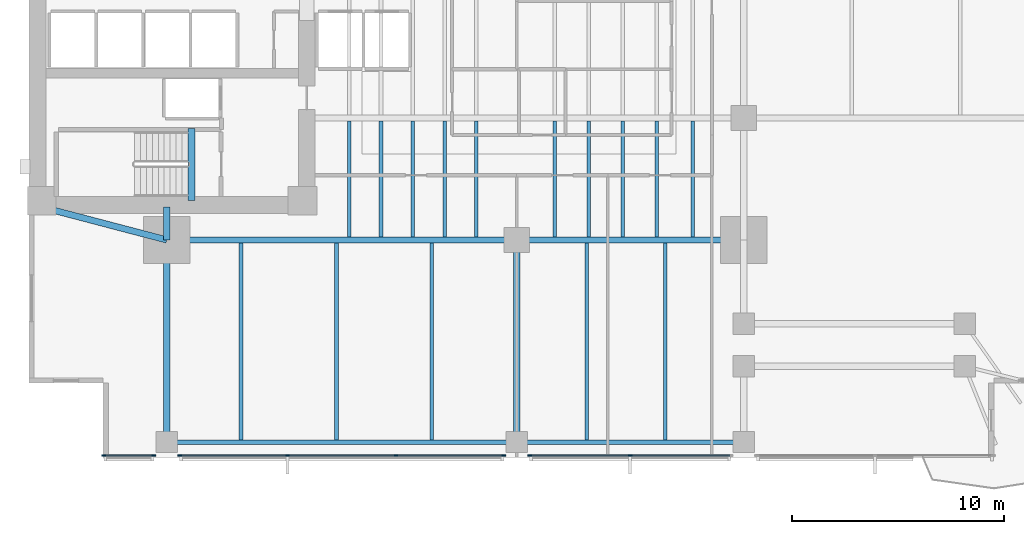
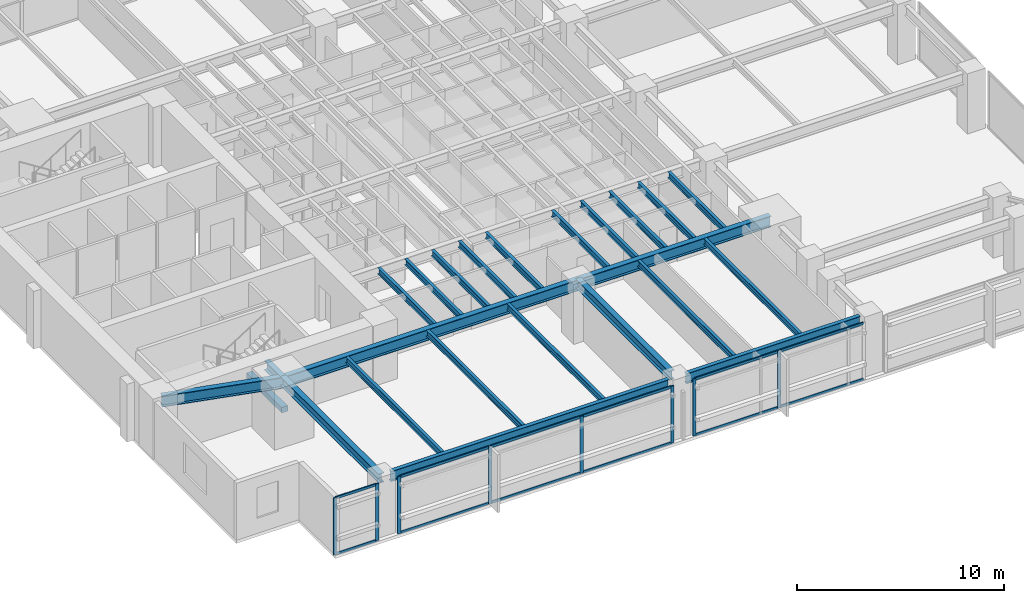
# One storey, part 2 of 15: 24 beams, 20 members, 3 elements without a shape of their own.
"""IFC4 building model written with IfcOpenShell, lengths in metres."""

from ifc_helpers import new_model, si_unit, direction, frame, origin, origin_2d, place, context, subcontext, project, spatial, rectangle, i_section, extrude, material, layer, layer_set, material_profile, profile_set, type_object, element, aggregate, save


model = new_model("IFC4")

# Units and contexts
model_context = context("Model", 3, precision=1e-05, world=origin(), true_north=direction((0.0, 1.0)))
body_context = subcontext(model_context, "Body", "Model", "MODEL_VIEW")
ifc_project = project(units=[si_unit("LENGTHUNIT", "METRE"), si_unit("AREAUNIT", "SQUARE_METRE"), si_unit("VOLUMEUNIT", "CUBIC_METRE"), si_unit("PLANEANGLEUNIT", "RADIAN"), si_unit("MASSUNIT", "GRAM", prefix="KILO")], contexts=[model_context])

# Site, building, storey
site_placement = place(None, origin())
site = spatial("IfcSite", under=ifc_project, at=site_placement, CompositionType="ELEMENT")
building_placement = place(site_placement, origin())
building = spatial("IfcBuilding", under=site, at=building_placement, Name="Kinhvarn Gate Tower", CompositionType="ELEMENT")
storey_placement = place(building_placement, frame((0.0, 0.0, 75.300048828125)))
storey = spatial("IfcBuildingStorey", under=building, at=storey_placement, Name="L19", CompositionType="ELEMENT", Elevation=75.300048828125)

# Beam
ifc_material_1 = material(Name="Concrete C50/60", Category="concrete")
ifc_material_profile_1 = material_profile(ifc_material_1, rectangle(XDim=0.340087890625, YDim=0.320068359375, at=origin_2d()), Name="RC 340x320")
ifc_profile_set_1 = profile_set([ifc_material_profile_1], Name="Concrete C50/60")
beam_type_1 = type_object("IfcBeamType", Name="BM-LND-500", PredefinedType="BEAM", material=ifc_profile_set_1)
beam_1_placement = place(storey_placement, frame((12.1650390625, 14.60009765625, -0.16015625), z_axis=(0.0, 1.0, 0.0), x_axis=(-1.0, 0.0, 0.0)))
element("IfcBeam", 1, at=beam_1_placement, inside=storey, type_object=beam_type_1, Name="Stair ST1 Landing Nosing Beam (L19)", PredefinedType="BEAM", context=body_context, shape_type="SweptSolid", body=[
    extrude(rectangle(XDim=0.340087890625, YDim=0.320068359375, at=origin_2d()), origin(), (0.0, 0.0, 1.0), 3.39990234375),
])

# Curtain wall, members
ifc_material_2 = material(Name="Anodised aluminium AW-6063", Category="aluminium")
ifc_layer = layer(ifc_material_2, 0.179931640625)
ifc_layer_set = layer_set([ifc_layer], Name="Anodised aluminium AW-6063")
curtain_wall_type = type_object("IfcCurtainWallType", Name="CW-SYS-2", PredefinedType="NOTDEFINED", material=ifc_layer_set)
curtain_wall_1_placement = place(storey_placement, origin())
curtain_wall_1 = element("IfcCurtainWall", 2, at=curtain_wall_1_placement, inside=storey, type_object=curtain_wall_type, Name="Curtain Wall CW2 (L19)", PredefinedType="NOTDEFINED")
ifc_material_profile_2 = material_profile(ifc_material_2, rectangle(XDim=0.070068359375, YDim=0.179931640625, at=origin_2d()), Name="ALU 70x180")
ifc_profile_set_2 = profile_set([ifc_material_profile_2], Name="Anodised aluminium AW-6063")
member_type_1 = type_object("IfcMemberType", Name="CW-MUL-180", PredefinedType="MULLION", material=ifc_profile_set_2)
member_1_placement = place(storey_placement, frame((8.034912109375, 2.590087890625, 0.0), z_axis=(0.0, 0.0, 1.0), x_axis=(0.0, 1.0, 0.0)))
member_1 = element("IfcMember", 3, at=member_1_placement, type_object=member_type_1, Name="CW2 mullion 1", PredefinedType="MULLION", context=body_context, shape_type="SweptSolid", body=[
    extrude(rectangle(XDim=0.070068359375, YDim=0.179931640625, at=origin_2d()), origin(), (0.0, 0.0, 1.0), 3.369873046875),
])
member_2_placement = place(storey_placement, frame((10.385009765625, 2.590087890625, 0.0), z_axis=(0.0, 0.0, 1.0), x_axis=(0.0, 1.0, 0.0)))
member_2 = element("IfcMember", 4, at=member_2_placement, type_object=member_type_1, Name="CW2 mullion 2", PredefinedType="MULLION", context=body_context, shape_type="SweptSolid", body=[
    extrude(rectangle(XDim=0.070068359375, YDim=0.179931640625, at=origin_2d()), origin(), (0.0, 0.0, 1.0), 3.369873046875),
])

curtain_wall_2_placement = place(storey_placement, origin())
curtain_wall_2 = element("IfcCurtainWall", 5, at=curtain_wall_2_placement, inside=storey, type_object=curtain_wall_type, Name="Curtain Wall CW2 (L19)", PredefinedType="NOTDEFINED")
member_3_placement = place(storey_placement, frame((11.614990234375, 2.590087890625, 0.0), z_axis=(0.0, 0.0, 1.0), x_axis=(0.0, 1.0, 0.0)))
member_3 = element("IfcMember", 6, at=member_3_placement, type_object=member_type_1, Name="CW2 mullion 1", PredefinedType="MULLION", context=body_context, shape_type="SweptSolid", body=[
    extrude(rectangle(XDim=0.070068359375, YDim=0.179931640625, at=origin_2d()), origin(), (0.0, 0.0, 1.0), 3.369873046875),
])
member_4_placement = place(storey_placement, frame((16.693359375, 2.590087890625, 0.0), z_axis=(0.0, 0.0, 1.0), x_axis=(0.0, 1.0, 0.0)))
member_4 = element("IfcMember", 7, at=member_4_placement, type_object=member_type_1, Name="CW2 mullion 2", PredefinedType="MULLION", context=body_context, shape_type="SweptSolid", body=[
    extrude(rectangle(XDim=0.070068359375, YDim=0.179931640625, at=origin_2d()), origin(), (0.0, 0.0, 1.0), 3.369873046875),
])
member_5_placement = place(storey_placement, frame((21.806640625, 2.590087890625, 0.0), z_axis=(0.0, 0.0, 1.0), x_axis=(0.0, 1.0, 0.0)))
member_5 = element("IfcMember", 8, at=member_5_placement, type_object=member_type_1, Name="CW2 mullion 3", PredefinedType="MULLION", context=body_context, shape_type="SweptSolid", body=[
    extrude(rectangle(XDim=0.070068359375, YDim=0.179931640625, at=origin_2d()), origin(), (0.0, 0.0, 1.0), 3.369873046875),
])
member_6_placement = place(storey_placement, frame((26.885009765625, 2.590087890625, 0.0), z_axis=(0.0, 0.0, 1.0), x_axis=(0.0, 1.0, 0.0)))
member_6 = element("IfcMember", 9, at=member_6_placement, type_object=member_type_1, Name="CW2 mullion 4", PredefinedType="MULLION", context=body_context, shape_type="SweptSolid", body=[
    extrude(rectangle(XDim=0.070068359375, YDim=0.179931640625, at=origin_2d()), origin(), (0.0, 0.0, 1.0), 3.369873046875),
])

curtain_wall_3_placement = place(storey_placement, origin())
curtain_wall_3 = element("IfcCurtainWall", 10, at=curtain_wall_3_placement, inside=storey, type_object=curtain_wall_type, Name="Curtain Wall CW2 (L19)", PredefinedType="NOTDEFINED")
member_7_placement = place(storey_placement, frame((28.114990234375, 2.590087890625, 0.0), z_axis=(0.0, 0.0, 1.0), x_axis=(0.0, 1.0, 0.0)))
member_7 = element("IfcMember", 11, at=member_7_placement, type_object=member_type_1, Name="CW2 mullion 1", PredefinedType="MULLION", context=body_context, shape_type="SweptSolid", body=[
    extrude(rectangle(XDim=0.070068359375, YDim=0.179931640625, at=origin_2d()), origin(), (0.0, 0.0, 1.0), 3.369873046875),
])
member_8_placement = place(storey_placement, frame((32.85009765625, 2.590087890625, 0.0), z_axis=(0.0, 0.0, 1.0), x_axis=(0.0, 1.0, 0.0)))
member_8 = element("IfcMember", 12, at=member_8_placement, type_object=member_type_1, Name="CW2 mullion 2", PredefinedType="MULLION", context=body_context, shape_type="SweptSolid", body=[
    extrude(rectangle(XDim=0.070068359375, YDim=0.179931640625, at=origin_2d()), origin(), (0.0, 0.0, 1.0), 3.369873046875),
])

# Member
ifc_material_profile_3 = material_profile(ifc_material_2, rectangle(XDim=0.070068359375, YDim=0.139892578125, at=origin_2d()), Name="ALU 70x140")
ifc_profile_set_3 = profile_set([ifc_material_profile_3], Name="Anodised aluminium AW-6063")
member_type_2 = type_object("IfcMemberType", Name="CW-TRN-140", PredefinedType="USERDEFINED", material=ifc_profile_set_3)
member_9_placement = place(storey_placement, frame((8.070068359375, 2.590087890625, 0.034912109375), z_axis=(1.0, 0.0, 0.0), x_axis=(0.0, 1.0, 0.0)))
member_9 = element("IfcMember", 13, at=member_9_placement, type_object=member_type_2, Name="CW2 transom 1.1", ObjectType="TRANSOM", PredefinedType="USERDEFINED", context=body_context, shape_type="SweptSolid", body=[
    extrude(rectangle(XDim=0.070068359375, YDim=0.139892578125, at=origin_2d()), origin(), (0.0, 0.0, 1.0), 2.280029296875),
])

member_10_placement = place(storey_placement, frame((8.070068359375, 2.590087890625, 3.3349609375), z_axis=(1.0, 0.0, 0.0), x_axis=(0.0, 1.0, 0.0)))
member_10 = element("IfcMember", 14, at=member_10_placement, type_object=member_type_2, Name="CW2 transom 1.2", ObjectType="TRANSOM", PredefinedType="USERDEFINED", context=body_context, shape_type="SweptSolid", body=[
    extrude(rectangle(XDim=0.070068359375, YDim=0.139892578125, at=origin_2d()), origin(), (0.0, 0.0, 1.0), 2.280029296875),
])

aggregate(curtain_wall_1, [member_1, member_2, member_9, member_10])

member_11_placement = place(storey_placement, frame((11.64990234375, 2.590087890625, 0.034912109375), z_axis=(1.0, 0.0, 0.0), x_axis=(0.0, 1.0, 0.0)))
member_11 = element("IfcMember", 15, at=member_11_placement, type_object=member_type_2, Name="CW2 transom 1.1", ObjectType="TRANSOM", PredefinedType="USERDEFINED", context=body_context, shape_type="SweptSolid", body=[
    extrude(rectangle(XDim=0.070068359375, YDim=0.139892578125, at=origin_2d()), origin(), (0.0, 0.0, 1.0), 5.008544921875),
])

member_12_placement = place(storey_placement, frame((11.64990234375, 2.590087890625, 3.3349609375), z_axis=(1.0, 0.0, 0.0), x_axis=(0.0, 1.0, 0.0)))
member_12 = element("IfcMember", 16, at=member_12_placement, type_object=member_type_2, Name="CW2 transom 1.2", ObjectType="TRANSOM", PredefinedType="USERDEFINED", context=body_context, shape_type="SweptSolid", body=[
    extrude(rectangle(XDim=0.070068359375, YDim=0.139892578125, at=origin_2d()), origin(), (0.0, 0.0, 1.0), 5.008544921875),
])

member_13_placement = place(storey_placement, frame((16.728271484375, 2.590087890625, 0.034912109375), z_axis=(1.0, 0.0, 0.0), x_axis=(0.0, 1.0, 0.0)))
member_13 = element("IfcMember", 17, at=member_13_placement, type_object=member_type_2, Name="CW2 transom 2.1", ObjectType="TRANSOM", PredefinedType="USERDEFINED", context=body_context, shape_type="SweptSolid", body=[
    extrude(rectangle(XDim=0.070068359375, YDim=0.139892578125, at=origin_2d()), origin(), (0.0, 0.0, 1.0), 5.04345703125),
])

member_14_placement = place(storey_placement, frame((16.728271484375, 2.590087890625, 3.3349609375), z_axis=(1.0, 0.0, 0.0), x_axis=(0.0, 1.0, 0.0)))
member_14 = element("IfcMember", 18, at=member_14_placement, type_object=member_type_2, Name="CW2 transom 2.2", ObjectType="TRANSOM", PredefinedType="USERDEFINED", context=body_context, shape_type="SweptSolid", body=[
    extrude(rectangle(XDim=0.070068359375, YDim=0.139892578125, at=origin_2d()), origin(), (0.0, 0.0, 1.0), 5.04345703125),
])

member_15_placement = place(storey_placement, frame((21.841552734375, 2.590087890625, 0.034912109375), z_axis=(1.0, 0.0, 0.0), x_axis=(0.0, 1.0, 0.0)))
member_15 = element("IfcMember", 19, at=member_15_placement, type_object=member_type_2, Name="CW2 transom 3.1", ObjectType="TRANSOM", PredefinedType="USERDEFINED", context=body_context, shape_type="SweptSolid", body=[
    extrude(rectangle(XDim=0.070068359375, YDim=0.139892578125, at=origin_2d()), origin(), (0.0, 0.0, 1.0), 5.008544921875),
])

member_16_placement = place(storey_placement, frame((21.841552734375, 2.590087890625, 3.3349609375), z_axis=(1.0, 0.0, 0.0), x_axis=(0.0, 1.0, 0.0)))
member_16 = element("IfcMember", 20, at=member_16_placement, type_object=member_type_2, Name="CW2 transom 3.2", ObjectType="TRANSOM", PredefinedType="USERDEFINED", context=body_context, shape_type="SweptSolid", body=[
    extrude(rectangle(XDim=0.070068359375, YDim=0.139892578125, at=origin_2d()), origin(), (0.0, 0.0, 1.0), 5.008544921875),
])

aggregate(curtain_wall_2, [member_3, member_4, member_5, member_6, member_11, member_12, member_13, member_14, member_15, member_16])

member_17_placement = place(storey_placement, frame((28.14990234375, 2.590087890625, 0.034912109375), z_axis=(1.0, 0.0, 0.0), x_axis=(0.0, 1.0, 0.0)))
member_17 = element("IfcMember", 21, at=member_17_placement, type_object=member_type_2, Name="CW2 transom 1.1", ObjectType="TRANSOM", PredefinedType="USERDEFINED", context=body_context, shape_type="SweptSolid", body=[
    extrude(rectangle(XDim=0.070068359375, YDim=0.139892578125, at=origin_2d()), origin(), (0.0, 0.0, 1.0), 4.6650390625),
])

member_18_placement = place(storey_placement, frame((28.14990234375, 2.590087890625, 3.3349609375), z_axis=(1.0, 0.0, 0.0), x_axis=(0.0, 1.0, 0.0)))
member_18 = element("IfcMember", 22, at=member_18_placement, type_object=member_type_2, Name="CW2 transom 1.2", ObjectType="TRANSOM", PredefinedType="USERDEFINED", context=body_context, shape_type="SweptSolid", body=[
    extrude(rectangle(XDim=0.070068359375, YDim=0.139892578125, at=origin_2d()), origin(), (0.0, 0.0, 1.0), 4.6650390625),
])

member_19_placement = place(storey_placement, frame((32.885009765625, 2.590087890625, 0.034912109375), z_axis=(1.0, 0.0, 0.0), x_axis=(0.0, 1.0, 0.0)))
member_19 = element("IfcMember", 23, at=member_19_placement, type_object=member_type_2, Name="CW2 transom 2.1", ObjectType="TRANSOM", PredefinedType="USERDEFINED", context=body_context, shape_type="SweptSolid", body=[
    extrude(rectangle(XDim=0.070068359375, YDim=0.139892578125, at=origin_2d()), origin(), (0.0, 0.0, 1.0), 4.6650390625),
])

member_20_placement = place(storey_placement, frame((32.885009765625, 2.590087890625, 3.3349609375), z_axis=(1.0, 0.0, 0.0), x_axis=(0.0, 1.0, 0.0)))
member_20 = element("IfcMember", 24, at=member_20_placement, type_object=member_type_2, Name="CW2 transom 2.2", ObjectType="TRANSOM", PredefinedType="USERDEFINED", context=body_context, shape_type="SweptSolid", body=[
    extrude(rectangle(XDim=0.070068359375, YDim=0.139892578125, at=origin_2d()), origin(), (0.0, 0.0, 1.0), 4.6650390625),
])

aggregate(curtain_wall_3, [member_7, member_8, member_17, member_18, member_19, member_20])

# Beams
ifc_material_3 = material(Name="Steel S355", Category="steel")
ifc_material_profile_4 = material_profile(ifc_material_3, i_section(OverallWidth=0.300048828125, OverallDepth=0.550048828125, WebThickness=0.014892578125, FlangeThickness=0.029052734375, at=origin_2d()), Name="HEB 550")
ifc_profile_set_4 = profile_set([ifc_material_profile_4], Name="Steel S355")
beam_type_2 = type_object("IfcBeamType", Name="STL-HEB550", PredefinedType="BEAM", material=ifc_profile_set_4)
beam_2_placement = place(storey_placement, frame((11.0, 3.219970703125, 3.094970703125), z_axis=(0.0, 1.0, 0.0), x_axis=(-1.0, 0.0, 0.0)))
element("IfcBeam", 25, at=beam_2_placement, inside=storey, type_object=beam_type_2, Name="Floor Beam PG-15 (L19 MCW-S)", PredefinedType="BEAM", context=body_context, shape_type="SweptSolid", body=[
    extrude(i_section(OverallWidth=0.300048828125, OverallDepth=0.550048828125, WebThickness=0.014892578125, FlangeThickness=0.029052734375, at=origin_2d()), origin(), (0.0, 0.0, 1.0), 9.530029296875),
])
beam_3_placement = place(storey_placement, frame((11.0, 12.75, 3.094970703125), z_axis=(0.0, 1.0, 0.0), x_axis=(-1.0, 0.0, 0.0)))
element("IfcBeam", 26, at=beam_3_placement, inside=storey, type_object=beam_type_2, Name="Floor Beam PG-15 (L19 MCW-CS)", PredefinedType="BEAM", context=body_context, shape_type="SweptSolid", body=[
    extrude(i_section(OverallWidth=0.300048828125, OverallDepth=0.550048828125, WebThickness=0.014892578125, FlangeThickness=0.029052734375, at=origin_2d()), origin(), (0.0, 0.0, 1.0), 1.550048828125),
])
beam_4_placement = place(storey_placement, frame((27.5, 3.705078125, 3.094970703125), z_axis=(0.0, 1.0, 0.0), x_axis=(-1.0, 0.0, 0.0)))
element("IfcBeam", 27, at=beam_4_placement, inside=storey, type_object=beam_type_2, Name="Floor Beam PG-15 (L19 SP27-S-TIE)", PredefinedType="BEAM", context=body_context, shape_type="SweptSolid", body=[
    extrude(i_section(OverallWidth=0.300048828125, OverallDepth=0.550048828125, WebThickness=0.014892578125, FlangeThickness=0.029052734375, at=origin_2d()), origin(), (0.0, 0.0, 1.0), 9.044921875),
])
ifc_material_profile_5 = material_profile(ifc_material_3, i_section(OverallWidth=0.300048828125, OverallDepth=0.64990234375, WebThickness=0.01611328125, FlangeThickness=0.031005859375, at=origin_2d()), Name="HEB 650")
ifc_profile_set_5 = profile_set([ifc_material_profile_5], Name="Steel S355")
beam_type_3 = type_object("IfcBeamType", Name="STL-HEB650", PredefinedType="BEAM", material=ifc_profile_set_5)
beam_5_placement = place(storey_placement, frame((11.0, 12.75, 3.044921875), z_axis=(1.0, 0.0, 0.0), x_axis=(0.0, 1.0, 0.0)))
element("IfcBeam", 28, at=beam_5_placement, inside=storey, type_object=beam_type_3, Name="Floor Beam PG-17 (L19 MG-S1)", PredefinedType="BEAM", context=body_context, shape_type="SweptSolid", body=[
    extrude(i_section(OverallWidth=0.300048828125, OverallDepth=0.64990234375, WebThickness=0.01611328125, FlangeThickness=0.031005859375, at=origin_2d()), origin(), (0.0, 0.0, 1.0), 16.5),
])
beam_6_placement = place(storey_placement, frame((27.5, 12.75, 3.044921875), z_axis=(1.0, 0.0, 0.0), x_axis=(0.0, 1.0, 0.0)))
element("IfcBeam", 29, at=beam_6_placement, inside=storey, type_object=beam_type_3, Name="Floor Beam PG-17 (L19 MG-S2)", PredefinedType="BEAM", context=body_context, shape_type="SweptSolid", body=[
    extrude(i_section(OverallWidth=0.300048828125, OverallDepth=0.64990234375, WebThickness=0.01611328125, FlangeThickness=0.031005859375, at=origin_2d()), origin(), (0.0, 0.0, 1.0), 10.699951171875),
])
beam_7_placement = place(storey_placement, frame((5.10009765625, 14.300048828125, 3.044921875), z_axis=(0.967177623957, -0.254101246979, 0.0), x_axis=(0.254101246979, 0.967177623957, 0.0)))
element("IfcBeam", 30, at=beam_7_placement, inside=storey, type_object=beam_type_3, Name="Floor Beam PG-17 (L19 MG-SW-DIAG)", PredefinedType="BEAM", context=body_context, shape_type="SweptSolid", body=[
    extrude(i_section(OverallWidth=0.300048828125, OverallDepth=0.64990234375, WebThickness=0.01611328125, FlangeThickness=0.031005859375, at=origin_2d()), origin(), (0.0, 0.0, 1.0), 6.10009765625),
])
ifc_material_profile_6 = material_profile(ifc_material_3, i_section(OverallWidth=0.169921875, OverallDepth=0.360107421875, WebThickness=0.008056640625, FlangeThickness=0.0126953125, at=origin_2d()), Name="IPE 360")
ifc_profile_set_6 = profile_set([ifc_material_profile_6], Name="Steel S355")
beam_type_4 = type_object("IfcBeamType", Name="STL-IPE360", PredefinedType="JOIST", material=ifc_profile_set_6)
for number, where, z_axis, x_axis, name in (
    (31, (19.60009765625, 12.89990234375, 3.18994140625), (0.0, 1.0, 0.0), (-1.0, 0.0, 0.0), "Floor Joist SB-04 (L19 JC-X196-0)"),
    (32, (21.10009765625, 12.89990234375, 3.18994140625), (0.0, 1.0, 0.0), (-1.0, 0.0, 0.0), "Floor Joist SB-04 (L19 JC-X211-0)"),
    (33, (22.60009765625, 12.89990234375, 3.18994140625), (0.0, 1.0, 0.0), (-1.0, 0.0, 0.0), "Floor Joist SB-04 (L19 JC-X226-0)"),
    (34, (24.10009765625, 12.89990234375, 3.18994140625), (0.0, 1.0, 0.0), (-1.0, 0.0, 0.0), "Floor Joist SB-04 (L19 JC-X241-0)"),
    (35, (25.60009765625, 12.89990234375, 3.18994140625), (0.0, 1.0, 0.0), (-1.0, 0.0, 0.0), "Floor Joist SB-04 (L19 JC-X256-0)"),
    (36, (29.300048828125, 12.89990234375, 3.18994140625), (0.0, 1.0, 0.0), (-1.0, 0.0, 0.0), "Floor Joist SB-04 (L19 JC-X293-0)"),
    (37, (30.89990234375, 12.89990234375, 3.18994140625), (0.0, 1.0, 0.0), (-1.0, 0.0, 0.0), "Floor Joist SB-04 (L19 JC-X309-0)"),
    (38, (32.5, 12.89990234375, 3.18994140625), (0.0, 1.0, 0.0), (-1.0, 0.0, 0.0), "Floor Joist SB-04 (L19 JC-X325-0)"),
    (39, (34.10009765625, 12.89990234375, 3.18994140625), (0.0, 1.0, 0.0), (-1.0, 0.0, 0.0), "Floor Joist SB-04 (L19 JC-X341-0)"),
    (40, (35.800048828125, 12.89990234375, 3.18994140625), (0.0, 1.0, 0.0), (-1.0, 0.0, 0.0), "Floor Joist SB-04 (L19 JC-X358-0)"),
):
    element("IfcBeam", number, at=place(storey_placement, frame(where, z_axis=z_axis, x_axis=x_axis)), inside=storey, type_object=beam_type_4, Name=name, PredefinedType="JOIST", context=body_context, shape_type="SweptSolid", body=[
        extrude(i_section(OverallWidth=0.169921875, OverallDepth=0.360107421875, WebThickness=0.008056640625, FlangeThickness=0.0126953125, at=origin_2d()), origin(), (0.0, 0.0, 1.0), 5.4501953125),
    ])
for number, where, z_axis, x_axis, name in (
    (41, (14.5, 3.330078125, 3.18994140625), (0.0, 1.0, 0.0), (-1.0, 0.0, 0.0), "Floor Joist SB-04 (L19 JS-X145)"),
    (42, (19.0, 3.330078125, 3.18994140625), (0.0, 1.0, 0.0), (-1.0, 0.0, 0.0), "Floor Joist SB-04 (L19 JS-X190)"),
    (43, (23.5, 3.330078125, 3.18994140625), (0.0, 1.0, 0.0), (-1.0, 0.0, 0.0), "Floor Joist SB-04 (L19 JS-X235)"),
    (44, (30.800048828125, 3.330078125, 3.18994140625), (0.0, 1.0, 0.0), (-1.0, 0.0, 0.0), "Floor Joist SB-04 (L19 JS-X308)"),
    (45, (34.5, 3.330078125, 3.18994140625), (0.0, 1.0, 0.0), (-1.0, 0.0, 0.0), "Floor Joist SB-04 (L19 JS-X345)"),
):
    element("IfcBeam", number, at=place(storey_placement, frame(where, z_axis=z_axis, x_axis=x_axis)), inside=storey, type_object=beam_type_4, Name=name, PredefinedType="JOIST", context=body_context, shape_type="SweptSolid", body=[
        extrude(i_section(OverallWidth=0.169921875, OverallDepth=0.360107421875, WebThickness=0.008056640625, FlangeThickness=0.0126953125, at=origin_2d()), origin(), (0.0, 0.0, 1.0), 9.27001953125),
    ])
ifc_material_profile_7 = material_profile(ifc_material_3, i_section(OverallWidth=0.219970703125, OverallDepth=0.60009765625, WebThickness=0.011962890625, FlangeThickness=0.01904296875, at=origin_2d()), Name="IPE 600")
ifc_profile_set_7 = profile_set([ifc_material_profile_7], Name="Steel S355")
beam_type_5 = type_object("IfcBeamType", Name="STL-IPE600", PredefinedType="SPANDREL", material=ifc_profile_set_7)
beam_8_placement = place(storey_placement, frame((11.485107421875, 3.219970703125, 3.070068359375), z_axis=(1.0, 0.0, 0.0), x_axis=(0.0, 1.0, 0.0)))
element("IfcBeam", 46, at=beam_8_placement, inside=storey, type_object=beam_type_5, Name="Floor Spandrel SB-09 (L19 SP-S1)", PredefinedType="SPANDREL", context=body_context, shape_type="SweptSolid", body=[
    extrude(i_section(OverallWidth=0.219970703125, OverallDepth=0.60009765625, WebThickness=0.011962890625, FlangeThickness=0.01904296875, at=origin_2d()), origin(), (0.0, 0.0, 1.0), 15.52978515625),
])
beam_9_placement = place(storey_placement, frame((27.985107421875, 3.219970703125, 3.070068359375), z_axis=(1.0, 0.0, 0.0), x_axis=(0.0, 1.0, 0.0)))
element("IfcBeam", 47, at=beam_9_placement, inside=storey, type_object=beam_type_5, Name="Floor Spandrel SB-09 (L19 SP-S2)", PredefinedType="SPANDREL", context=body_context, shape_type="SweptSolid", body=[
    extrude(i_section(OverallWidth=0.219970703125, OverallDepth=0.60009765625, WebThickness=0.011962890625, FlangeThickness=0.01904296875, at=origin_2d()), origin(), (0.0, 0.0, 1.0), 9.72998046875),
])

save(model, "model.ifc")
